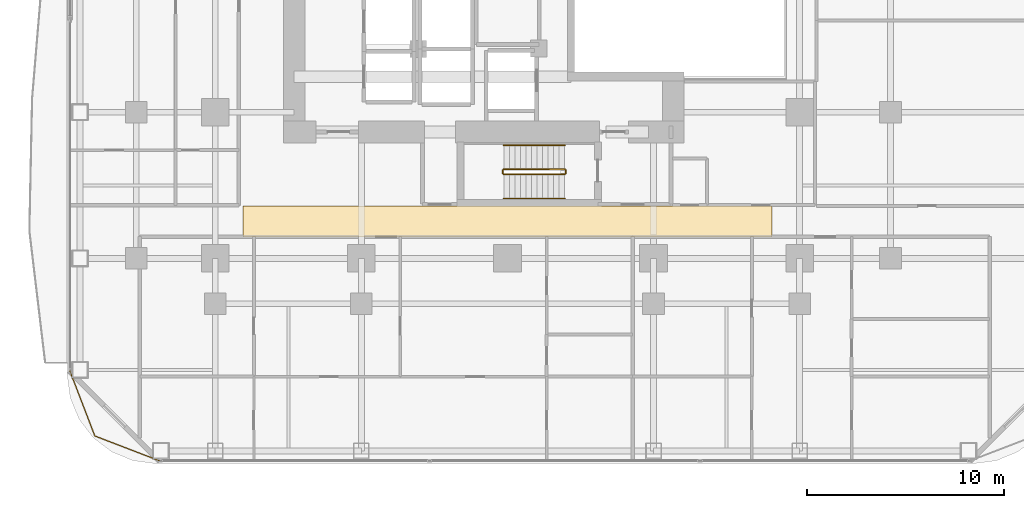
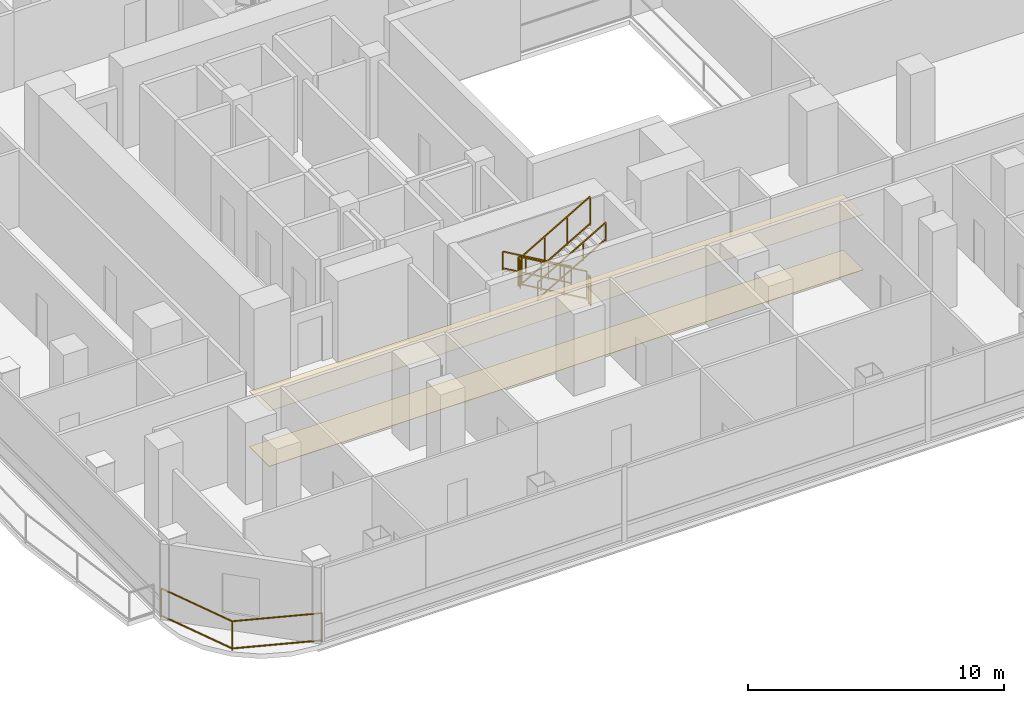
# One storey, part 25 of 27: 7 railings, 2 coverings.
"""IFC4 building model written with IfcOpenShell, lengths in metres."""

from ifc_helpers import new_model, si_unit, direction, frame, origin, origin_2d, place, context, subcontext, project, spatial, polyline, rectangle, outline, extrude, material, layer, layer_set, type_object, element, save


model = new_model("IFC4")

# Units and contexts
model_context = context("Model", 3, precision=1e-05, world=origin(), true_north=direction((0.0, 1.0)))
body_context = subcontext(model_context, "Body", "Model", "MODEL_VIEW")
ifc_project = project(units=[si_unit("LENGTHUNIT", "METRE"), si_unit("AREAUNIT", "SQUARE_METRE"), si_unit("VOLUMEUNIT", "CUBIC_METRE"), si_unit("PLANEANGLEUNIT", "RADIAN"), si_unit("MASSUNIT", "GRAM", prefix="KILO")], contexts=[model_context])

# Site, building, storey
site_placement = place(None, origin())
site = spatial("IfcSite", under=ifc_project, at=site_placement, CompositionType="ELEMENT")
building_placement = place(site_placement, origin())
building = spatial("IfcBuilding", under=site, at=building_placement, Name="Khorvyn Point Tower", CompositionType="ELEMENT")
storey_placement = place(building_placement, frame((0.0, 0.0, 50.10009765625)))
storey = spatial("IfcBuildingStorey", under=building, at=storey_placement, Name="L13", CompositionType="ELEMENT", Elevation=50.10009765625)

# Railing
ifc_material_1 = material(Name="Anodised aluminium 6063-T6 and laminated safety glass", Category="aluminium")
railing_type_1 = type_object("IfcRailingType", Name="Laminated Glass and Aluminium Balcony Guardrail 1400", PredefinedType="BALUSTRADE", material=ifc_material_1)
railing_1_placement = place(storey_placement, frame((-22.174072265625, -20.470703125, 0.0)))
element("IfcRailing", 1, at=railing_1_placement, inside=storey, type_object=railing_type_1, Name="L13 Rounded Corner Edge Guardrail SW", PredefinedType="BALUSTRADE", context=body_context, shape_type="SweptSolid", body=[
    extrude(rectangle(XDim=0.048095703125, YDim=0.048095703125, at=origin_2d()), frame((0.0, 0.0, 1.3759765625), z_axis=(0.358359142172, -0.933583807283, 0.0), x_axis=(0.933583807283, 0.358359142172, 0.0)), (0.0, 0.0, 1.0), 3.56298828125),
    extrude(rectangle(XDim=0.048095703125, YDim=0.048095703125, at=origin_2d()), frame((0.0, 0.0, 0.080078125), z_axis=(0.358359142172, -0.933583807283, 0.0), x_axis=(0.933583807283, 0.358359142172, 0.0)), (0.0, 0.0, 1.0), 3.56298828125),
    extrude(rectangle(XDim=0.048095703125, YDim=0.048095703125, at=origin_2d()), frame((1.27685546875, -3.326416015625, 1.3759765625), z_axis=(0.933583807283, -0.358359142172, 0.0), x_axis=(0.358359142172, 0.933583807283, 0.0)), (0.0, 0.0, 1.0), 3.56298828125),
    extrude(rectangle(XDim=0.048095703125, YDim=0.048095703125, at=origin_2d()), frame((1.27685546875, -3.326416015625, 0.080078125), z_axis=(0.933583807283, -0.358359142172, 0.0), x_axis=(0.358359142172, 0.933583807283, 0.0)), (0.0, 0.0, 1.0), 3.56298828125),
    extrude(rectangle(XDim=0.0419921875, YDim=0.0419921875, at=origin_2d()), origin(), (0.0, 0.0, 1.0), 1.351806640625),
    extrude(rectangle(XDim=0.0419921875, YDim=0.0419921875, at=origin_2d()), frame((1.27685546875, -3.326416015625, 0.0)), (0.0, 0.0, 1.0), 1.351806640625),
    extrude(rectangle(XDim=0.0419921875, YDim=0.0419921875, at=origin_2d()), frame((4.603271484375, -4.603271484375, 0.0)), (0.0, 0.0, 1.0), 1.351806640625),
])

# Coverings
ifc_material_2 = material(Name="Mineral-fibre acoustic ceiling board", Category="gypsum")
ifc_layer_1 = layer(ifc_material_2, 0.02001953125)
ifc_layer_set_1 = layer_set([ifc_layer_1], Name="Perforated Mineral-Fibre Acoustic Suspended Ceiling 20")
covering_type_1 = type_object("IfcCoveringType", Name="Perforated Mineral-Fibre Acoustic Suspended Ceiling 20", PredefinedType="CEILING", material=ifc_layer_set_1)
covering_1_placement = place(storey_placement, frame((0.0, 0.0, 2.639892578125)))
element("IfcCovering", 2, at=covering_1_placement, inside=storey, type_object=covering_type_1, Name="L13 South Corridor Acoustic Ceiling", PredefinedType="CEILING", context=body_context, shape_type="SweptSolid", body=[
    extrude(outline(polyline([(-13.39990234375, -13.7099609375), (13.39990234375, -13.7099609375), (13.39990234375, -12.139892578125), (-13.39990234375, -12.139892578125), (-13.39990234375, -13.7099609375)])), origin(), (0.0, 0.0, 1.0), 0.02001953125),
])
ifc_material_3 = material(Name="Vitrified porcelain terrazzo tile", Category="ceramic")
ifc_layer_2 = layer(ifc_material_3, 0.01806640625)
ifc_layer_set_2 = layer_set([ifc_layer_2], Name="Porcelain Terrazzo Corridor Floor Finish Tile 18")
covering_type_2 = type_object("IfcCoveringType", Name="Porcelain Terrazzo Corridor Floor Finish Tile 18", PredefinedType="FLOORING", material=ifc_layer_set_2)
covering_2_placement = place(storey_placement, origin())
element("IfcCovering", 3, at=covering_2_placement, inside=storey, type_object=covering_type_2, Name="L13 South Corridor Terrazzo Flooring", PredefinedType="FLOORING", context=body_context, shape_type="SweptSolid", body=[
    extrude(outline(polyline([(-13.39990234375, -13.7099609375), (13.39990234375, -13.7099609375), (13.39990234375, -12.139892578125), (-13.39990234375, -12.139892578125), (-13.39990234375, -13.7099609375)])), origin(), (0.0, 0.0, 1.0), 0.017822265625),
])

# Railings
ifc_material_4 = material(Name="Stainless steel 1.4301", Category="steel")
railing_type_2 = type_object("IfcRailingType", Name="Stainless Steel 304 Stair Pitch Handrail 900", PredefinedType="HANDRAIL", material=ifc_material_4)
railing_2_placement = place(storey_placement, frame((2.89990234375, -9.070068359375, 0.162353515625)))
element("IfcRailing", 4, at=railing_2_placement, inside=storey, type_object=railing_type_2, Name="L13 ST-01 stair handrail 1", PredefinedType="HANDRAIL", context=body_context, shape_type="SweptSolid", body=[
    extrude(rectangle(XDim=0.048095703125, YDim=0.048095703125, at=origin_2d()), frame((0.0, 0.0, 0.8759765625), z_axis=(-0.864873446163, 0.0, 0.501989962173), x_axis=(0.0, -1.0, 0.0)), (0.0, 0.0, 1.0), 3.56103515625),
    extrude(rectangle(XDim=0.048095703125, YDim=0.048095703125, at=origin_2d()), frame((0.0, 0.0, 0.080078125), z_axis=(-0.864873446163, 0.0, 0.501989962173), x_axis=(0.0, -1.0, 0.0)), (0.0, 0.0, 1.0), 3.56103515625),
    extrude(rectangle(XDim=0.0419921875, YDim=0.0419921875, at=origin_2d()), origin(), (0.0, 0.0, 1.0), 0.851806640625),
    extrude(rectangle(XDim=0.0419921875, YDim=0.0419921875, at=origin_2d()), frame((-1.026611328125, 0.0, 0.595947265625)), (0.0, 0.0, 1.0), 0.851806640625),
    extrude(rectangle(XDim=0.0419921875, YDim=0.0419921875, at=origin_2d()), frame((-2.05322265625, 0.0, 1.191650390625)), (0.0, 0.0, 1.0), 0.851806640625),
    extrude(rectangle(XDim=0.0419921875, YDim=0.0419921875, at=origin_2d()), frame((-3.079833984375, 0.0, 1.78759765625)), (0.0, 0.0, 1.0), 0.851806640625),
])
railing_3_placement = place(storey_placement, frame((-0.179931640625, -11.77001953125, 2.1123046875)))
element("IfcRailing", 5, at=railing_3_placement, inside=storey, type_object=railing_type_2, Name="L13 ST-01 stair handrail 2", PredefinedType="HANDRAIL", context=body_context, shape_type="SweptSolid", body=[
    extrude(rectangle(XDim=0.048095703125, YDim=0.048095703125, at=origin_2d()), frame((0.0, 0.0, 0.8759765625), z_axis=(0.864873446163, 0.0, 0.501989962173), x_axis=(0.0, 1.0, 0.0)), (0.0, 0.0, 1.0), 3.56103515625),
    extrude(rectangle(XDim=0.048095703125, YDim=0.048095703125, at=origin_2d()), frame((0.0, 0.0, 0.080078125), z_axis=(0.864873446163, 0.0, 0.501989962173), x_axis=(0.0, 1.0, 0.0)), (0.0, 0.0, 1.0), 3.56103515625),
    extrude(rectangle(XDim=0.0419921875, YDim=0.0419921875, at=origin_2d()), origin(), (0.0, 0.0, 1.0), 0.851806640625),
    extrude(rectangle(XDim=0.0419921875, YDim=0.0419921875, at=origin_2d()), frame((1.026611328125, 0.0, 0.595947265625)), (0.0, 0.0, 1.0), 0.851806640625),
    extrude(rectangle(XDim=0.0419921875, YDim=0.0419921875, at=origin_2d()), frame((2.05322265625, 0.0, 1.191650390625)), (0.0, 0.0, 1.0), 0.851806640625),
    extrude(rectangle(XDim=0.0419921875, YDim=0.0419921875, at=origin_2d()), frame((3.079833984375, 0.0, 1.78759765625)), (0.0, 0.0, 1.0), 0.851806640625),
])
railing_type_3 = type_object("IfcRailingType", Name="Stainless Steel 304 Stair Well Guardrail 1400", PredefinedType="GUARDRAIL", material=ifc_material_4)
railing_4_placement = place(storey_placement, frame((2.89990234375, -10.2900390625, 0.162353515625)))
element("IfcRailing", 6, at=railing_4_placement, inside=storey, type_object=railing_type_3, Name="L13 ST-01 stair guard 1", PredefinedType="GUARDRAIL", context=body_context, shape_type="SweptSolid", body=[
    extrude(rectangle(XDim=0.048095703125, YDim=0.048095703125, at=origin_2d()), frame((0.0, 0.0, 1.3759765625), z_axis=(-0.864873446163, 0.0, 0.501989962173), x_axis=(0.0, -1.0, 0.0)), (0.0, 0.0, 1.0), 3.56103515625),
    extrude(rectangle(XDim=0.048095703125, YDim=0.048095703125, at=origin_2d()), frame((0.0, 0.0, 0.080078125), z_axis=(-0.864873446163, 0.0, 0.501989962173), x_axis=(0.0, -1.0, 0.0)), (0.0, 0.0, 1.0), 3.56103515625),
    extrude(rectangle(XDim=0.0419921875, YDim=0.0419921875, at=origin_2d()), origin(), (0.0, 0.0, 1.0), 1.351806640625),
    extrude(rectangle(XDim=0.0419921875, YDim=0.0419921875, at=origin_2d()), frame((-1.026611328125, 0.0, 0.595947265625)), (0.0, 0.0, 1.0), 1.351806640625),
    extrude(rectangle(XDim=0.0419921875, YDim=0.0419921875, at=origin_2d()), frame((-2.05322265625, 0.0, 1.191650390625)), (0.0, 0.0, 1.0), 1.351806640625),
    extrude(rectangle(XDim=0.0419921875, YDim=0.0419921875, at=origin_2d()), frame((-3.079833984375, 0.0, 1.78759765625)), (0.0, 0.0, 1.0), 1.351806640625),
])
railing_5_placement = place(storey_placement, frame((-0.22998046875, -10.340087890625, 1.949951171875)))
element("IfcRailing", 7, at=railing_5_placement, inside=storey, type_object=railing_type_3, Name="L13 ST-01 stair guard 2", PredefinedType="GUARDRAIL", context=body_context, shape_type="SweptSolid", body=[
    extrude(rectangle(XDim=0.048095703125, YDim=0.048095703125, at=origin_2d()), frame((0.0, 0.0, 1.3759765625), z_axis=(0.0, -1.0, 0.0), x_axis=(1.0, 0.0, 0.0)), (0.0, 0.0, 1.0), 0.159912109375),
    extrude(rectangle(XDim=0.048095703125, YDim=0.048095703125, at=origin_2d()), frame((0.0, 0.0, 0.080078125), z_axis=(0.0, -1.0, 0.0), x_axis=(1.0, 0.0, 0.0)), (0.0, 0.0, 1.0), 0.159912109375),
    extrude(rectangle(XDim=0.0419921875, YDim=0.0419921875, at=origin_2d()), origin(), (0.0, 0.0, 1.0), 1.351806640625),
    extrude(rectangle(XDim=0.0419921875, YDim=0.0419921875, at=origin_2d()), frame((0.0, -0.159912109375, 0.0)), (0.0, 0.0, 1.0), 1.351806640625),
])
railing_6_placement = place(storey_placement, frame((-0.179931640625, -10.550048828125, 2.1123046875)))
element("IfcRailing", 8, at=railing_6_placement, inside=storey, type_object=railing_type_3, Name="L13 ST-01 stair guard 3", PredefinedType="GUARDRAIL", context=body_context, shape_type="SweptSolid", body=[
    extrude(rectangle(XDim=0.048095703125, YDim=0.048095703125, at=origin_2d()), frame((0.0, 0.0, 1.3759765625), z_axis=(0.864873446163, 0.0, 0.501989962173), x_axis=(0.0, 1.0, 0.0)), (0.0, 0.0, 1.0), 3.56103515625),
    extrude(rectangle(XDim=0.048095703125, YDim=0.048095703125, at=origin_2d()), frame((0.0, 0.0, 0.080078125), z_axis=(0.864873446163, 0.0, 0.501989962173), x_axis=(0.0, 1.0, 0.0)), (0.0, 0.0, 1.0), 3.56103515625),
    extrude(rectangle(XDim=0.0419921875, YDim=0.0419921875, at=origin_2d()), origin(), (0.0, 0.0, 1.0), 1.351806640625),
    extrude(rectangle(XDim=0.0419921875, YDim=0.0419921875, at=origin_2d()), frame((1.026611328125, 0.0, 0.595947265625)), (0.0, 0.0, 1.0), 1.351806640625),
    extrude(rectangle(XDim=0.0419921875, YDim=0.0419921875, at=origin_2d()), frame((2.05322265625, 0.0, 1.191650390625)), (0.0, 0.0, 1.0), 1.351806640625),
    extrude(rectangle(XDim=0.0419921875, YDim=0.0419921875, at=origin_2d()), frame((3.079833984375, 0.0, 1.78759765625)), (0.0, 0.0, 1.0), 1.351806640625),
])
railing_7_placement = place(storey_placement, frame((2.949951171875, -10.340087890625, 0.0)))
element("IfcRailing", 9, at=railing_7_placement, inside=storey, type_object=railing_type_3, Name="L13 ST-01 stair guard 4", PredefinedType="GUARDRAIL", context=body_context, shape_type="SweptSolid", body=[
    extrude(rectangle(XDim=0.048095703125, YDim=0.048095703125, at=origin_2d()), frame((0.0, 0.0, 1.3759765625), z_axis=(0.0, -1.0, 0.0), x_axis=(1.0, 0.0, 0.0)), (0.0, 0.0, 1.0), 0.159912109375),
    extrude(rectangle(XDim=0.048095703125, YDim=0.048095703125, at=origin_2d()), frame((0.0, 0.0, 0.080078125), z_axis=(0.0, -1.0, 0.0), x_axis=(1.0, 0.0, 0.0)), (0.0, 0.0, 1.0), 0.159912109375),
    extrude(rectangle(XDim=0.0419921875, YDim=0.0419921875, at=origin_2d()), origin(), (0.0, 0.0, 1.0), 1.351806640625),
    extrude(rectangle(XDim=0.0419921875, YDim=0.0419921875, at=origin_2d()), frame((0.0, -0.159912109375, 0.0)), (0.0, 0.0, 1.0), 1.351806640625),
])

save(model, "model.ifc")
